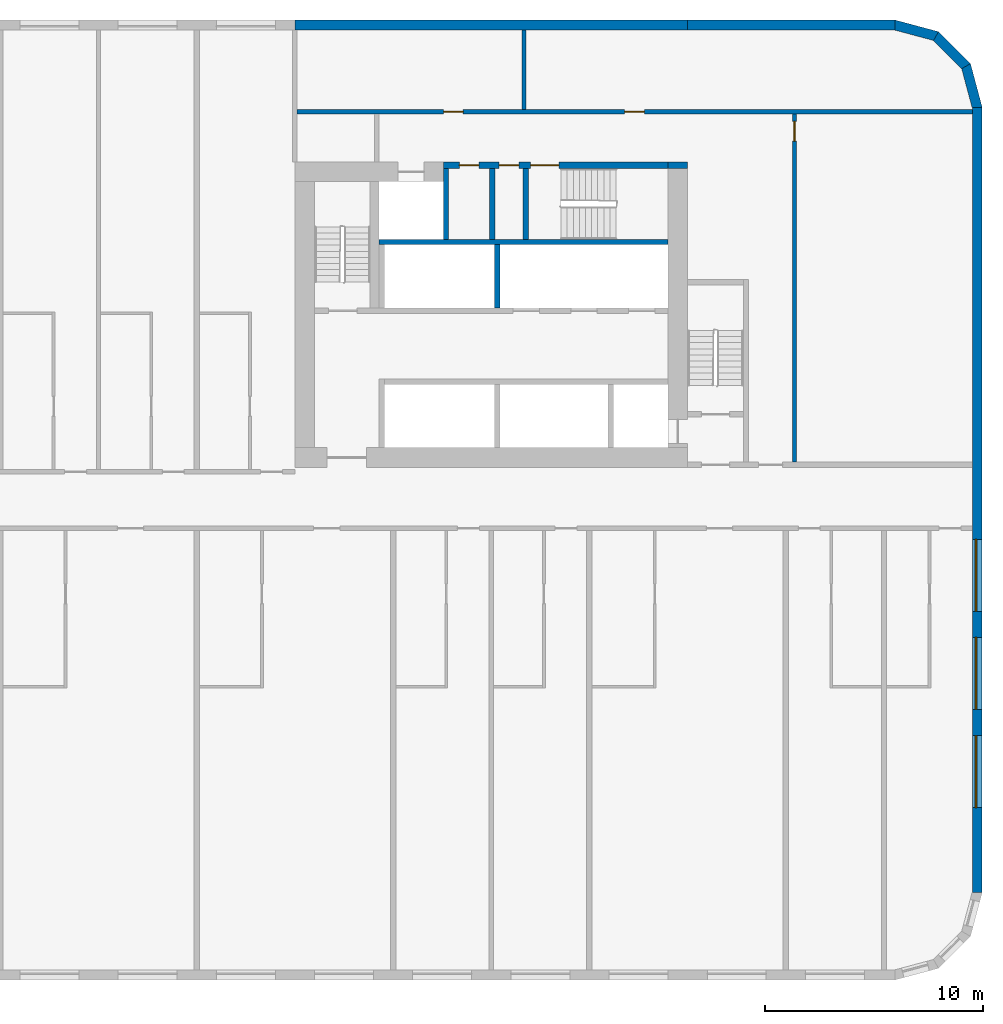
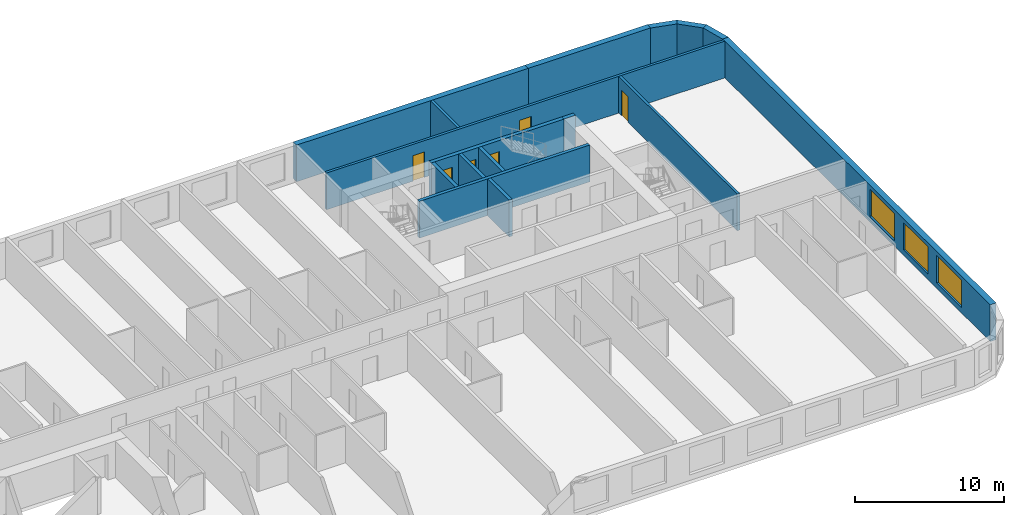
# One storey, part 8 of 12: 16 walls, 6 doors, 3 windows, 9 openings.
"""IFC4 building model written with IfcOpenShell, lengths in metres."""

import ifcopenshell
import ifcopenshell.guid

model = None  # the IFC model being written
_history = None  # IfcOwnerHistory: only IFC2X3 demands one
_inside = {}  # id of a spatial element -> (the spatial element, [elements in it])
_under = {}  # id of a project, library or spatial element -> (it, [spatial elements below it])
_declared = {}  # id of a project -> (the project, [libraries it declares])
_typed = {}  # id of a type object -> (the type object, [elements of that type])
_made_of = {}  # id of a material, layer set ... -> (it, [elements and type objects made of it])


def new_model(schema):
    """Start an empty IFC model of exactly this schema.

    Asked for "IFC4X3", IfcOpenShell would pick the latest addendum, in which some entities
    have other attributes; the version numbers below select the first issue.
    IFC2X3 requires an IfcOwnerHistory on every rooted entity: one is made here for all.
    """
    global model, _history
    if schema == "IFC4X3":
        model = ifcopenshell.file(schema_version=(4, 3, 0, 0))
    else:
        model = ifcopenshell.file(schema=schema)
    _inside.clear()
    _under.clear()
    _declared.clear()
    _typed.clear()
    _made_of.clear()
    _history = None
    if model.schema == "IFC2X3":
        org = make("IfcOrganization", Name="unknown")
        user = make(
            "IfcPersonAndOrganization",
            ThePerson=make("IfcPerson", FamilyName="unknown"),
            TheOrganization=org,
        )
        app = make(
            "IfcApplication",
            ApplicationDeveloper=org,
            Version="unknown",
            ApplicationFullName="unknown",
            ApplicationIdentifier="unknown",
        )
        _history = make(
            "IfcOwnerHistory",
            OwningUser=user,
            OwningApplication=app,
            ChangeAction="ADDED",
            CreationDate=0,
        )
    return model


def make(cls, **values):
    """One entity of the class cls with the attributes given. An attribute that is None is left unset."""
    return model.create_entity(
        cls, **{name: value for name, value in values.items() if value is not None}
    )


def rooted(cls, **values):
    """An entity with a GlobalId (a new one), such as an element, a storey or a relation."""
    return make(cls, GlobalId=ifcopenshell.guid.new(), OwnerHistory=_history, **values)


def si_unit(unit_type, name, prefix=None):
    """IfcSIUnit, for example si_unit("LENGTHUNIT", "METRE", prefix="MILLI")."""
    return make("IfcSIUnit", UnitType=unit_type, Prefix=prefix, Name=name)


def assignment(units):
    """IfcUnitAssignment: the units of a project."""
    return None if units is None else make("IfcUnitAssignment", Units=units)


def point(xyz):
    """IfcCartesianPoint."""
    return None if xyz is None else make("IfcCartesianPoint", Coordinates=xyz)


def direction(xyz):
    """IfcDirection."""
    return None if xyz is None else make("IfcDirection", DirectionRatios=xyz)


def frame(location, z_axis=None, x_axis=None):
    """IfcAxis2Placement3D, a coordinate frame: its origin and axes. An axis left out is left unset."""
    return make(
        "IfcAxis2Placement3D",
        Location=point(location),
        Axis=direction(z_axis),
        RefDirection=direction(x_axis),
    )


def frame_2d(location, x_axis=None):
    """IfcAxis2Placement2D, a coordinate frame in the plane: its origin and x axis."""
    return make(
        "IfcAxis2Placement2D", Location=point(location), RefDirection=direction(x_axis)
    )


def origin():
    """The frame at (0, 0, 0) with its axes left unset."""
    return frame((0.0, 0.0, 0.0))


def place(relative_to, where):
    """IfcLocalPlacement: puts the frame where relative to a parent placement (None: the world)."""
    return make(
        "IfcLocalPlacement", PlacementRelTo=relative_to, RelativePlacement=where
    )


def context(
    kind, dimensions, precision=None, world=None, true_north=None, identifier=None
):
    """IfcGeometricRepresentationContext, for example the 3D "Model" context."""
    return make(
        "IfcGeometricRepresentationContext",
        ContextIdentifier=identifier,
        ContextType=kind,
        CoordinateSpaceDimension=dimensions,
        Precision=precision,
        WorldCoordinateSystem=world,
        TrueNorth=true_north,
    )


def subcontext(parent, identifier, kind, view, scale=None):
    """IfcGeometricRepresentationSubContext, for example "Body" below "Model"."""
    return make(
        "IfcGeometricRepresentationSubContext",
        ContextIdentifier=identifier,
        ContextType=kind,
        ParentContext=parent,
        TargetScale=scale,
        TargetView=view,
    )


def project(units=None, contexts=None):
    """IfcProject with its units and contexts."""
    return rooted(
        "IfcProject",
        Name="project",
        RepresentationContexts=contexts,
        UnitsInContext=assignment(units),
    )


def spatial(cls, under=None, at=None, **own):
    """A site, building, storey or space (cls), placed at a placement, below another one or the project."""
    s = rooted(cls, ObjectPlacement=at, **own)
    if under is not None:
        _under.setdefault(under.id(), (under, []))[1].append(s)
    return s


def polyline(points):
    """IfcPolyline through the points."""
    return make("IfcPolyline", Points=[point(p) for p in points])


def profile(cls, at=None, kind="AREA", **sizes):
    """A parametric profile (cls). Its sizes go by their IFC names, for example OverallWidth=200.0."""
    return make(cls, ProfileType=kind, Position=at, **sizes)


def rectangle(**sizes):
    """IfcRectangleProfileDef."""
    return profile("IfcRectangleProfileDef", **sizes)


def outline(outer, holes=None, kind="AREA"):
    """IfcArbitraryClosedProfileDef: a profile drawn as a closed curve; with holes, ...WithVoids."""
    if holes is None:
        return make("IfcArbitraryClosedProfileDef", ProfileType=kind, OuterCurve=outer)
    return make(
        "IfcArbitraryProfileDefWithVoids",
        ProfileType=kind,
        OuterCurve=outer,
        InnerCurves=holes,
    )


def extrude(swept, where, along, depth):
    """IfcExtrudedAreaSolid: the profile swept, set in the frame where, extruded along a direction by depth."""
    return make(
        "IfcExtrudedAreaSolid",
        SweptArea=swept,
        Position=where,
        ExtrudedDirection=direction(along),
        Depth=depth,
    )


def shape(context_of_items, identifier, shape_type, items):
    """IfcShapeRepresentation: the items that make up one representation, for example the "Body"."""
    return make(
        "IfcShapeRepresentation",
        ContextOfItems=context_of_items,
        RepresentationIdentifier=identifier,
        RepresentationType=shape_type,
        Items=items,
    )


def material(Name=None, Category=None):
    """IfcMaterial."""
    return make("IfcMaterial", Name=Name, Category=Category)


def layer(
    of_material, thickness, ventilated=None, Name=None, Category=None, Priority=None
):
    """IfcMaterialLayer: one layer of a wall or slab, of a material (None: an air gap)."""
    return make(
        "IfcMaterialLayer",
        Material=of_material,
        LayerThickness=thickness,
        IsVentilated=ventilated,
        Name=Name,
        Category=Category,
        Priority=Priority,
    )


def layer_set(layers, Name=None):
    """IfcMaterialLayerSet."""
    return make("IfcMaterialLayerSet", MaterialLayers=layers, LayerSetName=Name)


def made_of(thing, what):
    """Note that an element or type object is made of a material, layer set ...; save() writes the relation."""
    if what is not None:
        _made_of.setdefault(what.id(), (what, []))[1].append(thing)
    return thing


def type_object(cls, material=None, **own):
    """A type object (cls), such as IfcWallType, which elements share."""
    return made_of(rooted(cls, **own), material)


def element(
    cls,
    number,
    at=None,
    inside=None,
    cuts=None,
    type_object=None,
    material=None,
    context=None,
    identifier="Body",
    shape_type=None,
    held_by="IfcProductDefinitionShape",
    body=None,
    shapes=None,
    **own,
):
    """One element of the class cls, such as IfcWall. Its Tag is "e" and its number.

    at: its placement. inside: the storey or other place that contains it. cuts: it is an
    opening in that element (IfcRelVoidsElement). A single representation is given by context,
    identifier, shape_type and body (its items); several are given by shapes. held_by: the class
    of the entity that holds the representations. save() writes the other relations.
    """
    e = rooted(cls, Tag="e%d" % number, ObjectPlacement=at, **own)
    if body is not None:
        shapes = [shape(context, identifier, shape_type, body)]
    if shapes is not None:
        e.Representation = make(held_by, Representations=shapes)
    if inside is not None:
        _inside.setdefault(inside.id(), (inside, []))[1].append(e)
    if cuts is not None:
        rooted(
            "IfcRelVoidsElement", RelatingBuildingElement=cuts, RelatedOpeningElement=e
        )
    if type_object is not None:
        _typed.setdefault(type_object.id(), (type_object, []))[1].append(e)
    return made_of(e, material)


def fill(opening, filler):
    """IfcRelFillsElement: the door or window that sits in an opening."""
    return rooted(
        "IfcRelFillsElement",
        RelatingOpeningElement=opening,
        RelatedBuildingElement=filler,
    )


def aggregate(whole, parts):
    """IfcRelAggregates: a whole, such as a stair, and the parts it consists of."""
    return rooted("IfcRelAggregates", RelatingObject=whole, RelatedObjects=parts)


def save(model, path):
    """Write the relations noted so far, then the file.

    IfcRelAggregates (storeys below a building ...), IfcRelContainedInSpatialStructure (elements
    in a storey), IfcRelDefinesByType, IfcRelAssociatesMaterial and IfcRelDeclares: one each for
    every whole, place, type object, material and project.
    """
    for whole, parts in _under.values():
        aggregate(whole, parts)
    for where, things in _inside.values():
        rooted(
            "IfcRelContainedInSpatialStructure",
            RelatedElements=things,
            RelatingStructure=where,
        )
    for kind, things in _typed.values():
        rooted("IfcRelDefinesByType", RelatedObjects=things, RelatingType=kind)
    for what, things in _made_of.values():
        rooted("IfcRelAssociatesMaterial", RelatedObjects=things, RelatingMaterial=what)
    for by, libraries in _declared.values():
        rooted("IfcRelDeclares", RelatingContext=by, RelatedDefinitions=libraries)
    model.write(path)


model = new_model("IFC4")

# Units and contexts
model_context = context("Model", 3, precision=1e-05, world=origin(), true_north=direction((0.0, 1.0)))
body_context = subcontext(model_context, "Body", "Model", "MODEL_VIEW")
ifc_project = project(units=[si_unit("LENGTHUNIT", "METRE"), si_unit("AREAUNIT", "SQUARE_METRE"), si_unit("VOLUMEUNIT", "CUBIC_METRE"), si_unit("PLANEANGLEUNIT", "RADIAN"), si_unit("MASSUNIT", "GRAM", prefix="KILO")], contexts=[model_context])

# Site, building, storey
site_placement = place(None, origin())
site = spatial("IfcSite", under=ifc_project, at=site_placement, CompositionType="ELEMENT")
building_placement = place(site_placement, origin())
building = spatial("IfcBuilding", under=site, at=building_placement, Name="Kajstack Hotel Tower", CompositionType="ELEMENT")
storey_placement = place(building_placement, frame((0.0, 0.0, 76.5)))
storey = spatial("IfcBuildingStorey", under=building, at=storey_placement, Name="L14", CompositionType="ELEMENT", Elevation=76.5)

# Walls
ifc_material_1 = material(Name="Concrete C60/75", Category="concrete")
ifc_layer_1 = layer(ifc_material_1, 0.89990234375)
ifc_layer_set_1 = layer_set([ifc_layer_1], Name="Core wall 900")
wall_type_1 = type_object("IfcWallType", Name="Core wall 900", PredefinedType="SHEAR", material=ifc_layer_set_1)
wall_1_placement = place(storey_placement, frame((30.60009765625, 15.35009765625, 0.0), z_axis=(0.0, 0.0, 1.0), x_axis=(1.0, 0.0, 0.0)))
element("IfcWall", 1, at=wall_1_placement, inside=storey, type_object=wall_type_1, Name="Core wall E RSW", PredefinedType="SHEAR", context=body_context, shape_type="SweptSolid", body=[
    extrude(rectangle(XDim=0.89990234375, YDim=0.300048828125, at=frame_2d((0.449951171875, 0.0))), origin(), (0.0, 0.0, 1.0), 3.02001953125),
])
ifc_material_2 = material(Name="Concrete C40/50", Category="concrete")
ifc_layer_2 = layer(ifc_material_2, 0.449951171875)
ifc_layer_set_2 = layer_set([ifc_layer_2], Name="EW-CORE")
wall_type_2 = type_object("IfcWallType", Name="EW-CORE", PredefinedType="SOLIDWALL", material=ifc_layer_set_2)
wall_2_placement = place(storey_placement, frame((31.5, 21.77490234375, 0.0), z_axis=(0.0, 0.0, 1.0), x_axis=(-1.0, 0.0, 0.0)))
element("IfcWall", 2, at=wall_2_placement, inside=storey, type_object=wall_type_2, Name="E-wall-L14-11-01", PredefinedType="SOLIDWALL", context=body_context, shape_type="SweptSolid", body=[
    extrude(rectangle(XDim=18.0, YDim=0.449951171875, at=frame_2d((9.0, 0.0))), origin(), (0.0, 0.0, 1.0), 3.02001953125),
])

# Wall, openings, windows
ifc_material_3 = material(Name="Terracotta-faced brick masonry", Category="masonry")
ifc_layer_3 = layer(ifc_material_3, 0.449951171875)
ifc_layer_set_3 = layer_set([ifc_layer_3], Name="EW-TERRA")
wall_type_3 = type_object("IfcWallType", Name="EW-TERRA", PredefinedType="SOLIDWALL", material=ifc_layer_set_3)
wall_3_placement = place(storey_placement, frame((44.77490234375, -18.0, 0.0), z_axis=(0.0, 0.0, 1.0), x_axis=(0.0, 1.0, 0.0)))
wall_3 = element("IfcWall", 3, at=wall_3_placement, inside=storey, type_object=wall_type_3, Name="E-wall-L14-07-00", PredefinedType="SOLIDWALL", context=body_context, shape_type="SweptSolid", body=[
    extrude(rectangle(XDim=36.0, YDim=0.449951171875, at=frame_2d((18.0, 0.0))), origin(), (0.0, 0.0, 1.0), 3.02001953125),
])
opening_1_placement = place(wall_3_placement, frame((3.89990234375, 0.0, 0.449951171875)))
opening_1 = element("IfcOpeningElement", 4, at=opening_1_placement, cuts=wall_3, Name="Opening W2", PredefinedType="OPENING", context=body_context, shape_type="SweptSolid", body=[
    extrude(rectangle(XDim=3.300048828125, YDim=2.25, at=frame_2d((1.64990234375, 1.125))), frame((0.0, 0.23486328125, 0.0), z_axis=(0.0, -1.0, 0.0), x_axis=(1.0, 0.0, 0.0)), (0.0, 0.0, 1.0), 0.469970703125),
])
opening_2_placement = place(wall_3_placement, frame((8.39990234375, 0.0, 0.449951171875)))
opening_2 = element("IfcOpeningElement", 5, at=opening_2_placement, cuts=wall_3, Name="Opening W2", PredefinedType="OPENING", context=body_context, shape_type="SweptSolid", body=[
    extrude(rectangle(XDim=3.300048828125, YDim=2.25, at=frame_2d((1.64990234375, 1.125))), frame((0.0, 0.23486328125, 0.0), z_axis=(0.0, -1.0, 0.0), x_axis=(1.0, 0.0, 0.0)), (0.0, 0.0, 1.0), 0.469970703125),
])
opening_3_placement = place(wall_3_placement, frame((12.89990234375, 0.0, 0.449951171875)))
opening_3 = element("IfcOpeningElement", 6, at=opening_3_placement, cuts=wall_3, Name="Opening W2", PredefinedType="OPENING", context=body_context, shape_type="SweptSolid", body=[
    extrude(rectangle(XDim=3.300048828125, YDim=2.25, at=frame_2d((1.64990234375, 1.125))), frame((0.0, 0.23486328125, 0.0), z_axis=(0.0, -1.0, 0.0), x_axis=(1.0, 0.0, 0.0)), (0.0, 0.0, 1.0), 0.469970703125),
])
ifc_material_4 = material(Name="Timber-aluminium window, triple glazed", Category="wood")
window_type = type_object("IfcWindowType", Name="WG2", PartitioningType="SINGLE_PANEL", PredefinedType="WINDOW", material=ifc_material_4)
window_1_placement = place(opening_1_placement, origin())
window_1 = element("IfcWindow", 7, at=window_1_placement, inside=storey, type_object=window_type, Name="Window W2 L14-07", OverallHeight=2.25, OverallWidth=3.300048828125, PartitioningType="SINGLE_PANEL", PredefinedType="WINDOW", context=body_context, shape_type="SweptSolid", body=[
    extrude(rectangle(XDim=3.300048828125, YDim=2.25, at=frame_2d((1.64990234375, 1.125))), frame((0.0, 0.090087890625, 0.0), z_axis=(0.0, -1.0, 0.0), x_axis=(1.0, 0.0, 0.0)), (0.0, 0.0, 1.0), 0.06005859375),
])
fill(opening_1, window_1)
window_2_placement = place(opening_2_placement, origin())
window_2 = element("IfcWindow", 8, at=window_2_placement, inside=storey, type_object=window_type, Name="Window W2 L14-07", OverallHeight=2.25, OverallWidth=3.300048828125, PartitioningType="SINGLE_PANEL", PredefinedType="WINDOW", context=body_context, shape_type="SweptSolid", body=[
    extrude(rectangle(XDim=3.300048828125, YDim=2.25, at=frame_2d((1.64990234375, 1.125))), frame((0.0, 0.090087890625, 0.0), z_axis=(0.0, -1.0, 0.0), x_axis=(1.0, 0.0, 0.0)), (0.0, 0.0, 1.0), 0.06005859375),
])
fill(opening_2, window_2)
window_3_placement = place(opening_3_placement, origin())
window_3 = element("IfcWindow", 9, at=window_3_placement, inside=storey, type_object=window_type, Name="Window W2 L14-07", OverallHeight=2.25, OverallWidth=3.300048828125, PartitioningType="SINGLE_PANEL", PredefinedType="WINDOW", context=body_context, shape_type="SweptSolid", body=[
    extrude(rectangle(XDim=3.300048828125, YDim=2.25, at=frame_2d((1.64990234375, 1.125))), frame((0.0, 0.090087890625, 0.0), z_axis=(0.0, -1.0, 0.0), x_axis=(1.0, 0.0, 0.0)), (0.0, 0.0, 1.0), 0.06005859375),
])
fill(opening_3, window_3)

# Walls
wall_4_placement = place(storey_placement, frame((44.78271484375, 17.941650390625, 0.0), z_axis=(0.0, 0.0, 1.0), x_axis=(-0.25881466832, 0.965926999034, 0.0)))
element("IfcWall", 10, at=wall_4_placement, inside=storey, type_object=wall_type_3, Name="E-wall-L14-08-00", PredefinedType="SOLIDWALL", context=body_context, shape_type="SweptSolid", body=[
    extrude(outline(polyline([(0.000244140625, -0.22509765625), (2.070556640625, -0.224853515625), (1.9501953125, 0.22509765625), (0.12060546875, 0.22509765625), (0.000244140625, -0.22509765625)])), origin(), (0.0, 0.0, 1.0), 3.02001953125),
])
wall_5_placement = place(storey_placement, frame((44.304931640625, 19.8408203125, 0.0), z_axis=(0.0, 0.0, 1.0), x_axis=(-0.707106781187, 0.707106781187, 0.0)))
element("IfcWall", 11, at=wall_5_placement, inside=storey, type_object=wall_type_3, Name="E-wall-L14-09-00", PredefinedType="SOLIDWALL", context=body_context, shape_type="SweptSolid", body=[
    extrude(outline(polyline([(0.0, -0.22509765625), (2.070556640625, -0.22509765625), (1.949951171875, 0.224853515625), (0.12060546875, 0.224853515625), (0.0, -0.22509765625)])), origin(), (0.0, 0.0, 1.0), 3.02001953125),
])
wall_6_placement = place(storey_placement, frame((42.941650390625, 21.246826171875, 0.0), z_axis=(0.0, 0.0, 1.0), x_axis=(-0.965926999034, 0.25881466832, 0.0)))
element("IfcWall", 12, at=wall_6_placement, inside=storey, type_object=wall_type_3, Name="E-wall-L14-10-00", PredefinedType="SOLIDWALL", context=body_context, shape_type="SweptSolid", body=[
    extrude(outline(polyline([(-0.000244140625, -0.224853515625), (2.0703125, -0.22509765625), (1.949951171875, 0.22509765625), (0.120361328125, 0.22509765625), (-0.000244140625, -0.224853515625)])), origin(), (0.0, 0.0, 1.0), 3.02001953125),
])
wall_7_placement = place(storey_placement, frame((41.0, 21.77490234375, 0.0), z_axis=(0.0, 0.0, 1.0), x_axis=(-1.0, 0.0, 0.0)))
element("IfcWall", 13, at=wall_7_placement, inside=storey, type_object=wall_type_3, Name="E-wall-L14-11-00", PredefinedType="SOLIDWALL", context=body_context, shape_type="SweptSolid", body=[
    extrude(rectangle(XDim=9.5, YDim=0.449951171875, at=frame_2d((4.75, 0.0))), origin(), (0.0, 0.0, 1.0), 3.02001953125),
])
ifc_material_5 = material(Name="Concrete C50/60", Category="concrete")
ifc_layer_4 = layer(ifc_material_5, 0.300048828125)
ifc_layer_set_4 = layer_set([ifc_layer_4], Name="Hoistway divider wall 300")
wall_type_4 = type_object("IfcWallType", Name="Hoistway divider wall 300", PredefinedType="SHEAR", material=ifc_layer_set_4)
wall_8_placement = place(storey_placement, frame((22.77490234375, 8.800048828125, 0.0), z_axis=(0.0, 0.0, 1.0), x_axis=(0.0, 1.0, 0.0)))
element("IfcWall", 14, at=wall_8_placement, inside=storey, type_object=wall_type_4, Name="Core wall E BP2", PredefinedType="SHEAR", context=body_context, shape_type="SweptSolid", body=[
    extrude(rectangle(XDim=2.89990234375, YDim=0.25, at=frame_2d((1.449951171875, 0.0))), origin(), (0.0, 0.0, 1.0), 3.02001953125),
])
ifc_material_6 = material(Name="Concrete block masonry", Category="masonry")
ifc_layer_5 = layer(ifc_material_6, 0.25)
ifc_layer_set_5 = layer_set([ifc_layer_5], Name="Riser partition 250")
wall_type_5 = type_object("IfcWallType", Name="Riser partition 250", PredefinedType="PARTITIONING", material=ifc_layer_set_5)
wall_9_placement = place(storey_placement, frame((22.550048828125, 11.949951171875, 0.0), z_axis=(0.0, 0.0, 1.0), x_axis=(0.0, 1.0, 0.0)))
element("IfcWall", 15, at=wall_9_placement, inside=storey, type_object=wall_type_5, Name="Partition E SZ0", PredefinedType="PARTITIONING", context=body_context, shape_type="SweptSolid", body=[
    extrude(rectangle(XDim=3.25, YDim=0.25, at=frame_2d((1.625, 0.0))), origin(), (0.0, 0.0, 1.0), 3.02001953125),
])

# Wall, opening, door
ifc_material_7 = material(Name="Gypsum board on steel studs, mineral wool", Category="steel")
ifc_layer_6 = layer(ifc_material_7, 0.199951171875)
ifc_layer_set_6 = layer_set([ifc_layer_6], Name="Service partition 200")
wall_type_6 = type_object("IfcWallType", Name="Service partition 200", PredefinedType="PARTITIONING", material=ifc_layer_set_6)
wall_10_placement = place(storey_placement, frame((36.39990234375, 1.75, 0.0), z_axis=(0.0, 0.0, 1.0), x_axis=(0.0, 1.0, 0.0)))
wall_10 = element("IfcWall", 16, at=wall_10_placement, inside=storey, type_object=wall_type_6, Name="Partition E WRE", PredefinedType="PARTITIONING", context=body_context, shape_type="SweptSolid", body=[
    extrude(rectangle(XDim=15.949951171875, YDim=0.199951171875, at=frame_2d((7.97509765625, 0.0))), origin(), (0.0, 0.0, 1.0), 3.02001953125),
])
opening_4_placement = place(wall_10_placement, frame((14.699951171875, 0.0, 0.0)))
opening_4 = element("IfcOpeningElement", 17, at=opening_4_placement, cuts=wall_10, Name="Opening 14E16", PredefinedType="OPENING", context=body_context, shape_type="SweptSolid", body=[
    extrude(rectangle(XDim=0.89990234375, YDim=2.10009765625, at=frame_2d((0.449951171875, 1.050048828125))), frame((0.0, 0.10986328125, 0.0), z_axis=(0.0, -1.0, 0.0), x_axis=(1.0, 0.0, 0.0)), (0.0, 0.0, 1.0), 0.219970703125),
])
ifc_material_8 = material(Name="Timber leaf, fire-rated", Category="wood")
door_type_1 = type_object("IfcDoorType", Name="Service door 900", OperationType="SINGLE_SWING_LEFT", PredefinedType="DOOR", material=ifc_material_8)
door_1_placement = place(opening_4_placement, origin())
door_1 = element("IfcDoor", 18, at=door_1_placement, inside=storey, type_object=door_type_1, Name="Door 14E16", OperationType="SINGLE_SWING_RIGHT", OverallHeight=2.10009765625, OverallWidth=0.89990234375, PredefinedType="DOOR", context=body_context, shape_type="SweptSolid", body=[
    extrude(rectangle(XDim=0.89990234375, YDim=2.10009765625, at=frame_2d((0.449951171875, 1.050048828125))), frame((0.0, 0.02490234375, 0.0), z_axis=(0.0, -1.0, 0.0), x_axis=(1.0, 0.0, 0.0)), (0.0, 0.0, 1.0), 0.050048828125),
])
fill(opening_4, door_1)

# Wall, openings, doors
wall_11_placement = place(storey_placement, frame((13.60009765625, 17.800048828125, 0.0), z_axis=(0.0, 0.0, 1.0), x_axis=(1.0, 0.0, 0.0)))
wall_11 = element("IfcWall", 19, at=wall_11_placement, inside=storey, type_object=wall_type_6, Name="Partition E SLN", PredefinedType="PARTITIONING", context=body_context, shape_type="SweptSolid", body=[
    extrude(rectangle(XDim=30.949951171875, YDim=0.199951171875, at=frame_2d((15.47509765625, 0.0))), origin(), (0.0, 0.0, 1.0), 3.02001953125),
])
opening_5_placement = place(wall_11_placement, frame((15.012451171875, 0.0, 0.0)))
opening_5 = element("IfcOpeningElement", 20, at=opening_5_placement, cuts=wall_11, Name="Opening 14E14", PredefinedType="OPENING", context=body_context, shape_type="SweptSolid", body=[
    extrude(rectangle(XDim=0.89990234375, YDim=2.10009765625, at=frame_2d((0.449951171875, 1.050048828125))), frame((0.0, 0.10986328125, 0.0), z_axis=(0.0, -1.0, 0.0), x_axis=(1.0, 0.0, 0.0)), (0.0, 0.0, 1.0), 0.219970703125),
])
opening_6_placement = place(wall_11_placement, frame((6.71240234375, 0.0, 0.0)))
opening_6 = element("IfcOpeningElement", 21, at=opening_6_placement, cuts=wall_11, Name="Opening 14E15", PredefinedType="OPENING", context=body_context, shape_type="SweptSolid", body=[
    extrude(rectangle(XDim=0.89990234375, YDim=2.10009765625, at=frame_2d((0.449951171875, 1.050048828125))), frame((0.0, 0.10986328125, 0.0), z_axis=(0.0, -1.0, 0.0), x_axis=(1.0, 0.0, 0.0)), (0.0, 0.0, 1.0), 0.219970703125),
])
door_2_placement = place(opening_5_placement, origin())
door_2 = element("IfcDoor", 22, at=door_2_placement, inside=storey, type_object=door_type_1, Name="Door 14E14", OperationType="SINGLE_SWING_LEFT", OverallHeight=2.10009765625, OverallWidth=0.89990234375, PredefinedType="DOOR", context=body_context, shape_type="SweptSolid", body=[
    extrude(rectangle(XDim=0.89990234375, YDim=2.10009765625, at=frame_2d((0.449951171875, 1.050048828125))), frame((0.0, 0.02490234375, 0.0), z_axis=(0.0, -1.0, 0.0), x_axis=(1.0, 0.0, 0.0)), (0.0, 0.0, 1.0), 0.050048828125),
])
fill(opening_5, door_2)
door_3_placement = place(opening_6_placement, origin())
door_3 = element("IfcDoor", 23, at=door_3_placement, inside=storey, type_object=door_type_1, Name="Door 14E15", OperationType="SINGLE_SWING_LEFT", OverallHeight=2.10009765625, OverallWidth=0.89990234375, PredefinedType="DOOR", context=body_context, shape_type="SweptSolid", body=[
    extrude(rectangle(XDim=0.89990234375, YDim=2.10009765625, at=frame_2d((0.449951171875, 1.050048828125))), frame((0.0, 0.02490234375, 0.0), z_axis=(0.0, -1.0, 0.0), x_axis=(1.0, 0.0, 0.0)), (0.0, 0.0, 1.0), 0.050048828125),
])
fill(opening_6, door_3)

# Wall
wall_12_placement = place(storey_placement, frame((24.0, 17.89990234375, 0.0), z_axis=(0.0, 0.0, 1.0), x_axis=(0.0, 1.0, 0.0)))
element("IfcWall", 24, at=wall_12_placement, inside=storey, type_object=wall_type_6, Name="Partition E SLP0", PredefinedType="PARTITIONING", context=body_context, shape_type="SweptSolid", body=[
    extrude(rectangle(XDim=3.650146484375, YDim=0.199951171875, at=frame_2d((1.8251953125, 0.0))), origin(), (0.0, 0.0, 1.0), 3.02001953125),
])

# Wall, openings, doors
ifc_layer_7 = layer(ifc_material_5, 0.25)
ifc_layer_set_7 = layer_set([ifc_layer_7], Name="Shaft wall 250")
wall_type_7 = type_object("IfcWallType", Name="Shaft wall 250", PredefinedType="SHEAR", material=ifc_layer_set_7)
wall_13_placement = place(storey_placement, frame((20.300048828125, 15.35009765625, 0.0), z_axis=(0.0, 0.0, 1.0), x_axis=(1.0, 0.0, 0.0)))
wall_13 = element("IfcWall", 25, at=wall_13_placement, inside=storey, type_object=wall_type_7, Name="Core wall E RSS", PredefinedType="SHEAR", context=body_context, shape_type="SweptSolid", body=[
    extrude(rectangle(XDim=10.300048828125, YDim=0.300048828125, at=frame_2d((5.14990234375, 0.0))), origin(), (0.0, 0.0, 1.0), 3.02001953125),
])
opening_7_placement = place(wall_13_placement, frame((4.0, 0.0, 0.0)))
opening_7 = element("IfcOpeningElement", 26, at=opening_7_placement, cuts=wall_13, Name="Opening 14E11", PredefinedType="OPENING", context=body_context, shape_type="SweptSolid", body=[
    extrude(rectangle(XDim=1.300048828125, YDim=2.10009765625, at=frame_2d((0.64990234375, 1.050048828125))), frame((0.0, 0.159912109375, 0.0), z_axis=(0.0, -1.0, 0.0), x_axis=(1.0, 0.0, 0.0)), (0.0, 0.0, 1.0), 0.320068359375),
])
opening_8_placement = place(wall_13_placement, frame((2.5625, 0.0, 0.0)))
opening_8 = element("IfcOpeningElement", 27, at=opening_8_placement, cuts=wall_13, Name="Opening 14E12", PredefinedType="OPENING", context=body_context, shape_type="SweptSolid", body=[
    extrude(rectangle(XDim=0.89990234375, YDim=2.10009765625, at=frame_2d((0.449951171875, 1.050048828125))), frame((0.0, 0.159912109375, 0.0), z_axis=(0.0, -1.0, 0.0), x_axis=(1.0, 0.0, 0.0)), (0.0, 0.0, 1.0), 0.320068359375),
])
opening_9_placement = place(wall_13_placement, frame((0.737548828125, 0.0, 0.0)))
opening_9 = element("IfcOpeningElement", 28, at=opening_9_placement, cuts=wall_13, Name="Opening 14E13", PredefinedType="OPENING", context=body_context, shape_type="SweptSolid", body=[
    extrude(rectangle(XDim=0.89990234375, YDim=2.10009765625, at=frame_2d((0.449951171875, 1.050048828125))), frame((0.0, 0.159912109375, 0.0), z_axis=(0.0, -1.0, 0.0), x_axis=(1.0, 0.0, 0.0)), (0.0, 0.0, 1.0), 0.320068359375),
])
ifc_material_9 = material(Name="Steel leaf, fire-rated", Category="steel")
door_type_2 = type_object("IfcDoorType", Name="Riser door 900", OperationType="SINGLE_SWING_LEFT", PredefinedType="DOOR", material=ifc_material_9)
door_4_placement = place(opening_9_placement, origin())
door_4 = element("IfcDoor", 29, at=door_4_placement, inside=storey, type_object=door_type_2, Name="Door 14E13", OperationType="SINGLE_SWING_RIGHT", OverallHeight=2.10009765625, OverallWidth=0.89990234375, PredefinedType="DOOR", context=body_context, shape_type="SweptSolid", body=[
    extrude(rectangle(XDim=0.89990234375, YDim=2.10009765625, at=frame_2d((0.449951171875, 1.050048828125))), frame((0.0, 0.02490234375, 0.0), z_axis=(0.0, -1.0, 0.0), x_axis=(1.0, 0.0, 0.0)), (0.0, 0.0, 1.0), 0.050048828125),
])
fill(opening_9, door_4)
door_5_placement = place(opening_8_placement, origin())
door_5 = element("IfcDoor", 30, at=door_5_placement, inside=storey, type_object=door_type_1, Name="Door 14E12", OperationType="SINGLE_SWING_RIGHT", OverallHeight=2.10009765625, OverallWidth=0.89990234375, PredefinedType="DOOR", context=body_context, shape_type="SweptSolid", body=[
    extrude(rectangle(XDim=0.89990234375, YDim=2.10009765625, at=frame_2d((0.449951171875, 1.050048828125))), frame((0.0, 0.02490234375, 0.0), z_axis=(0.0, -1.0, 0.0), x_axis=(1.0, 0.0, 0.0)), (0.0, 0.0, 1.0), 0.050048828125),
])
fill(opening_8, door_5)
door_type_3 = type_object("IfcDoorType", Name="Stair door 1300", OperationType="SINGLE_SWING_LEFT", PredefinedType="DOOR", material=ifc_material_9)
door_6_placement = place(opening_7_placement, origin())
door_6 = element("IfcDoor", 31, at=door_6_placement, inside=storey, type_object=door_type_3, Name="Door 14E11", OperationType="SINGLE_SWING_LEFT", OverallHeight=2.10009765625, OverallWidth=1.300048828125, PredefinedType="DOOR", context=body_context, shape_type="SweptSolid", body=[
    extrude(rectangle(XDim=1.300048828125, YDim=2.10009765625, at=frame_2d((0.64990234375, 1.050048828125))), frame((0.0, 0.02490234375, 0.0), z_axis=(0.0, -1.0, 0.0), x_axis=(1.0, 0.0, 0.0)), (0.0, 0.0, 1.0), 0.050048828125),
])
fill(opening_7, door_6)

# Walls
wall_14_placement = place(storey_placement, frame((17.35009765625, 11.824951171875, 0.0), z_axis=(0.0, 0.0, 1.0), x_axis=(1.0, 0.0, 0.0)))
element("IfcWall", 32, at=wall_14_placement, inside=storey, type_object=wall_type_7, Name="Core wall E RB", PredefinedType="SHEAR", context=body_context, shape_type="SweptSolid", body=[
    extrude(rectangle(XDim=13.25, YDim=0.25, at=frame_2d((6.625, 0.0))), origin(), (0.0, 0.0, 1.0), 3.02001953125),
])
wall_15_placement = place(storey_placement, frame((20.425048828125, 11.949951171875, 0.0), z_axis=(0.0, 0.0, 1.0), x_axis=(0.0, 1.0, 0.0)))
element("IfcWall", 33, at=wall_15_placement, inside=storey, type_object=wall_type_7, Name="Core wall E SVW", PredefinedType="SHEAR", context=body_context, shape_type="SweptSolid", body=[
    extrude(rectangle(XDim=3.25, YDim=0.25, at=frame_2d((1.625, 0.0))), origin(), (0.0, 0.0, 1.0), 3.02001953125),
])
ifc_layer_8 = layer(ifc_material_5, 0.35009765625)
ifc_layer_set_8 = layer_set([ifc_layer_8], Name="Stair enclosure wall 350")
wall_type_8 = type_object("IfcWallType", Name="Stair enclosure wall 350", PredefinedType="SHEAR", material=ifc_layer_set_8)
wall_16_placement = place(storey_placement, frame((24.074951171875, 11.949951171875, 0.0), z_axis=(0.0, 0.0, 1.0), x_axis=(0.0, 1.0, 0.0)))
element("IfcWall", 34, at=wall_16_placement, inside=storey, type_object=wall_type_8, Name="Core wall E W3E", PredefinedType="SHEAR", context=body_context, shape_type="SweptSolid", body=[
    extrude(rectangle(XDim=3.25, YDim=0.25, at=frame_2d((1.625, 0.0))), origin(), (0.0, 0.0, 1.0), 3.02001953125),
])

save(model, "model.ifc")
